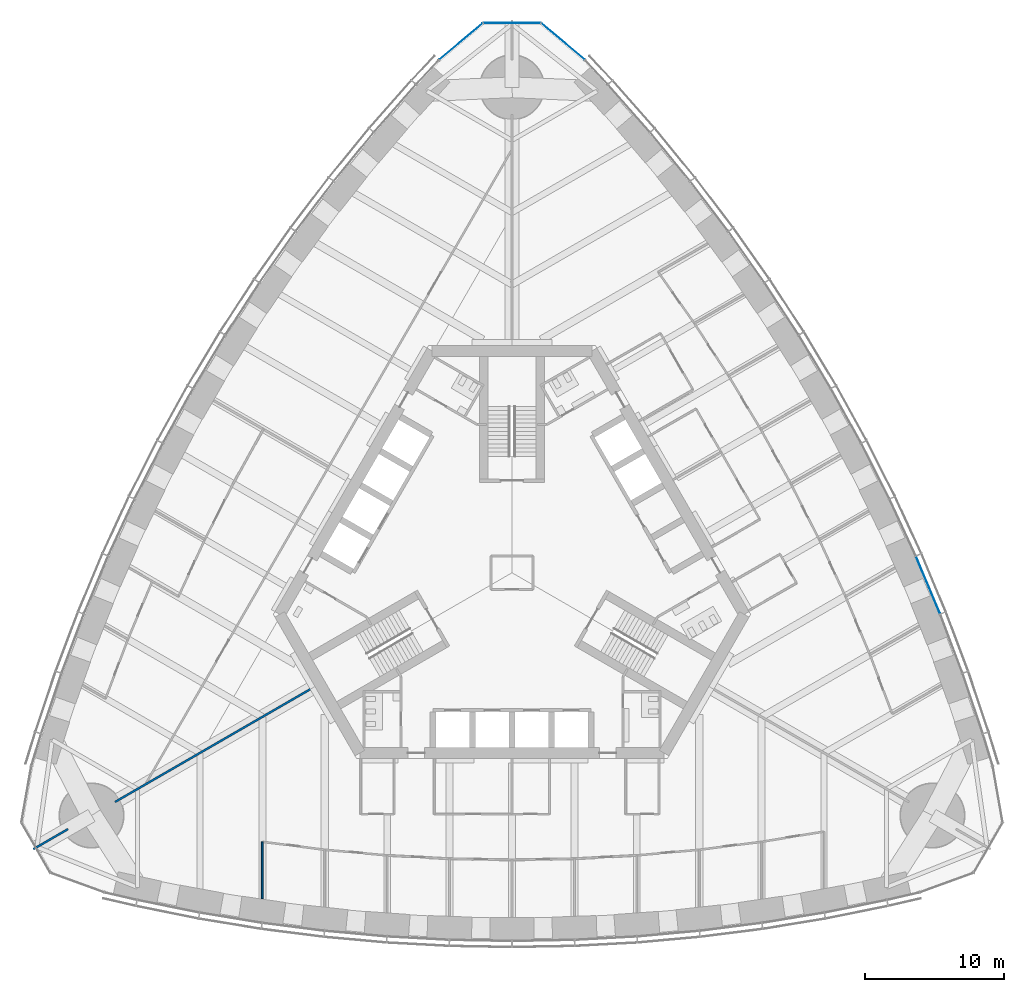
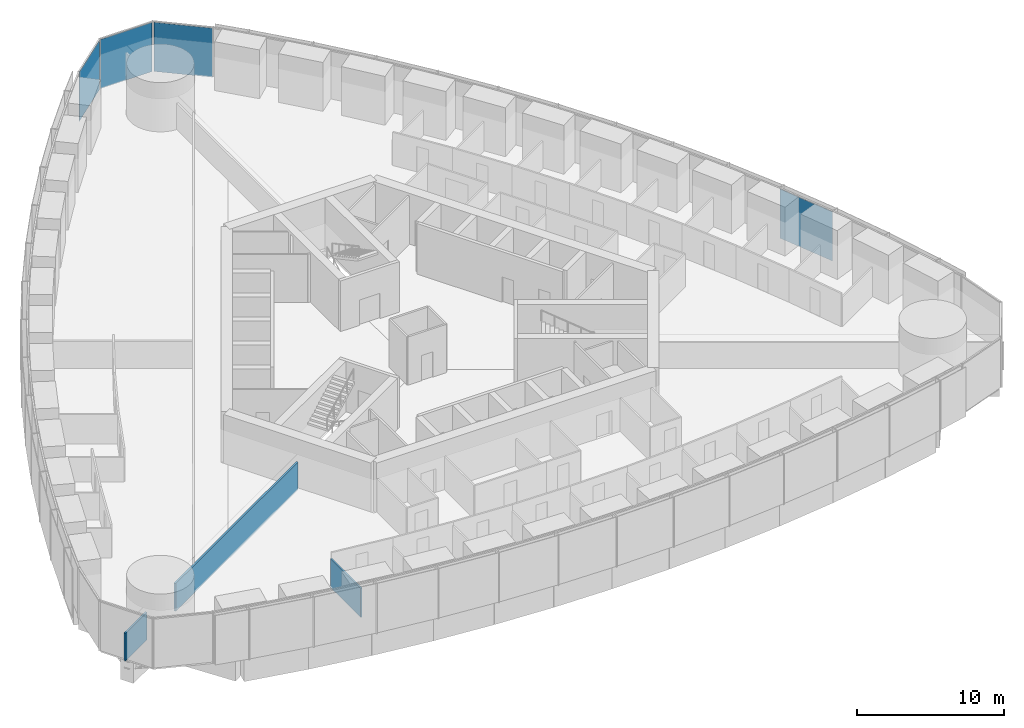
# One storey, part 10 of 20: 4 plates, 3 walls, 2 elements without a shape of their own.
"""IFC4 building model written with IfcOpenShell, lengths in metres."""

from ifc_helpers import new_model, si_unit, direction, frame, frame_2d, origin, origin_2d, place, context, subcontext, project, spatial, rectangle, extrude, material, layer, layer_set, type_object, element, aggregate, save


model = new_model("IFC4")

# Units and contexts
model_context = context("Model", 3, precision=1e-05, world=origin(), true_north=direction((0.0, 1.0)))
body_context = subcontext(model_context, "Body", "Model", "MODEL_VIEW")
ifc_project = project(units=[si_unit("LENGTHUNIT", "METRE"), si_unit("AREAUNIT", "SQUARE_METRE"), si_unit("VOLUMEUNIT", "CUBIC_METRE"), si_unit("PLANEANGLEUNIT", "RADIAN"), si_unit("MASSUNIT", "GRAM", prefix="KILO")], contexts=[model_context])

# Site, building, storey
site_placement = place(None, origin())
site = spatial("IfcSite", under=ifc_project, at=site_placement, CompositionType="ELEMENT")
building_placement = place(site_placement, origin())
building = spatial("IfcBuilding", under=site, at=building_placement, Name="Trefoil Bronze Tower", CompositionType="ELEMENT")
storey_placement = place(building_placement, frame((0.0, 0.0, 103.10009765625)))
storey = spatial("IfcBuildingStorey", under=building, at=storey_placement, Name="L23", CompositionType="ELEMENT", Elevation=103.10009765625)

# Curtain wall, plate
ifc_material_1 = material(Name="Tinted solar-control glass", Category="glass")
curtain_wall_type_1 = type_object("IfcCurtainWallType", Name="Bronze office curtain wall", PredefinedType="USERDEFINED", material=ifc_material_1)
curtain_wall_1_placement = place(storey_placement, origin())
curtain_wall_1 = element("IfcCurtainWall", 1, at=curtain_wall_1_placement, inside=storey, type_object=curtain_wall_type_1, Name="CW-A L23 F2", ObjectType="CURTAIN WALL", PredefinedType="USERDEFINED")
ifc_material_2 = material(Name="Tinted solar-control glass", Category="glass")
ifc_layer_1 = layer(ifc_material_2, 0.030029296875)
ifc_layer_set_1 = layer_set([ifc_layer_1], Name="Bronze office curtain wall glass panel")
plate_type_1 = type_object("IfcPlateType", Name="Bronze office curtain wall glass panel", PredefinedType="CURTAIN_PANEL", material=ifc_layer_set_1)
plate_1_placement = place(storey_placement, frame((29.99169921875, -0.885498046875, -0.000244140625), z_axis=(0.0, 0.0, 1.0), x_axis=(-0.386759234303, 0.922180727776, 0.0)))
plate_1 = element("IfcPlate", 2, at=plate_1_placement, type_object=plate_type_1, Name="CW-A L23 F2 panel 4", PredefinedType="CURTAIN_PANEL", context=body_context, shape_type="SweptSolid", body=[
    extrude(rectangle(XDim=4.456298828125, YDim=0.030029296875, at=origin_2d()), origin(), (0.0, 0.0, 1.0), 4.080078125),
])
aggregate(curtain_wall_1, [plate_1])

# Curtain wall, plates
ifc_material_3 = material(Name="Tinted solar-control glass", Category="glass")
curtain_wall_type_2 = type_object("IfcCurtainWallType", Name="Bronze rounded corner curtain wall", PredefinedType="USERDEFINED", material=ifc_material_3)
curtain_wall_2_placement = place(storey_placement, origin())
curtain_wall_2 = element("IfcCurtainWall", 3, at=curtain_wall_2_placement, inside=storey, type_object=curtain_wall_type_2, Name="CW-B L23 K2", ObjectType="CURTAIN WALL", PredefinedType="USERDEFINED")
ifc_material_4 = material(Name="Tinted solar-control glass", Category="glass")
ifc_layer_2 = layer(ifc_material_4, 0.030029296875)
ifc_layer_set_2 = layer_set([ifc_layer_2], Name="Bronze rounded corner curtain wall glass panel")
plate_type_2 = type_object("IfcPlateType", Name="Bronze rounded corner curtain wall glass panel", PredefinedType="CURTAIN_PANEL", material=ifc_layer_set_2)
plate_2_placement = place(storey_placement, frame((3.6884765625, 38.294921875, -0.000244140625), z_axis=(0.0, 0.0, 1.0), x_axis=(-0.766044443119, 0.642787609687, 0.0)))
plate_2 = element("IfcPlate", 4, at=plate_2_placement, type_object=plate_type_2, Name="CW-B L23 K2 panel 1", PredefinedType="CURTAIN_PANEL", context=body_context, shape_type="SweptSolid", body=[
    extrude(rectangle(XDim=4.044189453125, YDim=0.030029296875, at=origin_2d()), origin(), (0.0, 0.0, 1.0), 4.080078125),
])
plate_3_placement = place(storey_placement, frame((0.0, 39.637451171875, -0.000244140625), z_axis=(0.0, 0.0, 1.0), x_axis=(-1.0, 0.0, 0.0)))
plate_3 = element("IfcPlate", 5, at=plate_3_placement, type_object=plate_type_2, Name="CW-B L23 K2 panel 2", PredefinedType="CURTAIN_PANEL", context=body_context, shape_type="SweptSolid", body=[
    extrude(rectangle(XDim=4.044189453125, YDim=0.030029296875, at=origin_2d()), origin(), (0.0, 0.0, 1.0), 4.080078125),
])
plate_4_placement = place(storey_placement, frame((-3.6884765625, 38.294921875, -0.000244140625), z_axis=(0.0, 0.0, 1.0), x_axis=(-0.766044443119, -0.642787609687, 0.0)))
plate_4 = element("IfcPlate", 6, at=plate_4_placement, type_object=plate_type_2, Name="CW-B L23 K2 panel 3", PredefinedType="CURTAIN_PANEL", context=body_context, shape_type="SweptSolid", body=[
    extrude(rectangle(XDim=4.044189453125, YDim=0.030029296875, at=origin_2d()), origin(), (0.0, 0.0, 1.0), 4.080078125),
])
aggregate(curtain_wall_2, [plate_2, plate_3, plate_4])

# Walls
ifc_material_5 = material(Name="Glazed partition", Category="glass")
ifc_layer_3 = layer(ifc_material_5, 0.1201171875)
ifc_layer_set_3 = layer_set([ifc_layer_3], Name="Glazed partition 120")
wall_type_1 = type_object("IfcWallType", Name="Glazed partition 120", PredefinedType="PARTITIONING", material=ifc_layer_set_3)
wall_1_placement = place(storey_placement, frame((-18.0, -19.3955078125, 0.0), z_axis=(0.0, 0.0, 1.0), x_axis=(0.0, -1.0, 0.0)))
element("IfcWall", 7, at=wall_1_placement, inside=storey, type_object=wall_type_1, Name="Partition F1 L23", PredefinedType="PARTITIONING", context=body_context, shape_type="SweptSolid", body=[
    extrude(rectangle(XDim=4.10302734375, YDim=0.1201171875, at=frame_2d((2.051513671875, 0.0))), origin(), (0.0, 0.0, 1.0), 2.39990234375),
])
ifc_material_6 = material(Name="Gypsum board on steel studs", Category="steel")
ifc_layer_4 = layer(ifc_material_6, 0.14990234375)
ifc_layer_set_4 = layer_set([ifc_layer_4], Name="Party wall 150")
wall_type_2 = type_object("IfcWallType", Name="Party wall 150", PredefinedType="PARTITIONING", material=ifc_layer_set_4)
wall_2_placement = place(storey_placement, frame((-14.202880859375, -8.199951171875, 0.0), z_axis=(0.0, 0.0, 1.0), x_axis=(-0.866024668836, -0.500001272966, 0.0)))
element("IfcWall", 8, at=wall_2_placement, inside=storey, type_object=wall_type_2, Name="Party wall K3 L23", PredefinedType="PARTITIONING", context=body_context, shape_type="SweptSolid", body=[
    extrude(rectangle(XDim=16.64990234375, YDim=0.14990234375, at=frame_2d((8.324951171875, 0.0))), origin(), (0.0, 0.0, 1.0), 2.2998046875),
])
wall_3_placement = place(storey_placement, frame((-31.999755859375, -18.47509765625, 0.0), z_axis=(0.0, 0.0, 1.0), x_axis=(-0.866042548026, -0.499970304126, 0.0)))
element("IfcWall", 9, at=wall_3_placement, inside=storey, type_object=wall_type_2, Name="Party wall K3 L23", PredefinedType="PARTITIONING", context=body_context, shape_type="SweptSolid", body=[
    extrude(rectangle(XDim=2.899169921875, YDim=0.14990234375, at=frame_2d((1.44970703125, 0.0))), origin(), (0.0, 0.0, 1.0), 2.2998046875),
])

save(model, "model.ifc")
